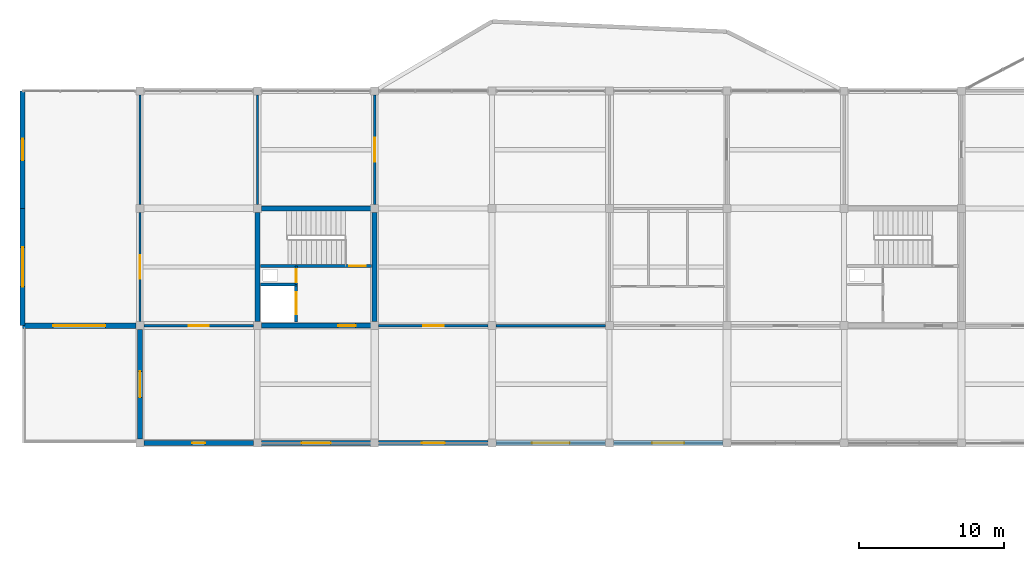
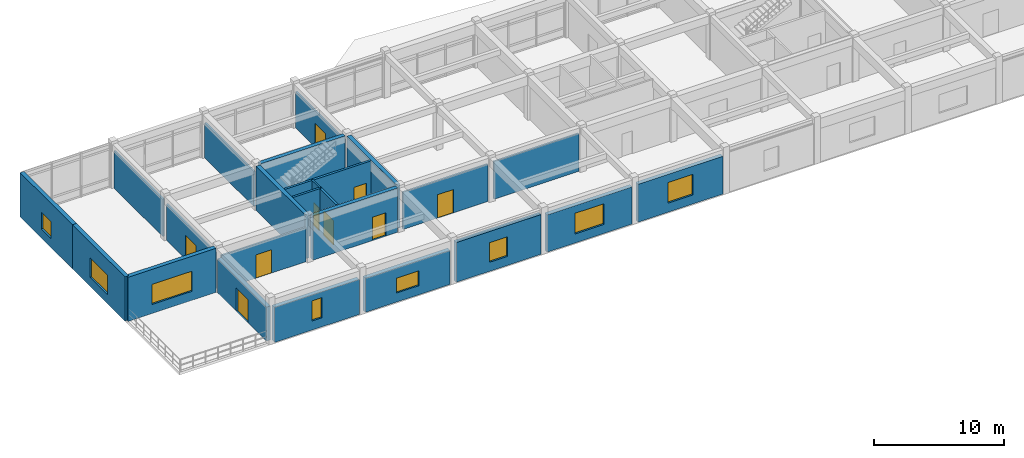
# One storey, part 27 of 42: 24 walls, 9 doors, 8 windows, 17 openings.
"""IFC4 building model written with IfcOpenShell, lengths in metres."""

from ifc_helpers import new_model, si_unit, direction, frame, frame_2d, origin, place, context, subcontext, project, spatial, rectangle, extrude, material, layer, layer_set, type_object, element, fill, save


model = new_model("IFC4")

# Units and contexts
model_context = context("Model", 3, precision=1e-05, world=origin(), true_north=direction((0.0, 1.0)))
body_context = subcontext(model_context, "Body", "Model", "MODEL_VIEW")
ifc_project = project(units=[si_unit("LENGTHUNIT", "METRE"), si_unit("AREAUNIT", "SQUARE_METRE"), si_unit("VOLUMEUNIT", "CUBIC_METRE"), si_unit("PLANEANGLEUNIT", "RADIAN"), si_unit("MASSUNIT", "GRAM", prefix="KILO")], contexts=[model_context])

# Site, building, storey
site_placement = place(None, origin())
site = spatial("IfcSite", under=ifc_project, at=site_placement, CompositionType="ELEMENT")
building_placement = place(site_placement, origin())
building = spatial("IfcBuilding", under=site, at=building_placement, Name="Vaudrelin Polytechnic", CompositionType="ELEMENT")
storey_placement = place(building_placement, frame((0.0, 0.0, 18.530029296875)))
storey = spatial("IfcBuildingStorey", under=building, at=storey_placement, Name="L04", CompositionType="ELEMENT", Elevation=18.530029296875)

# Wall, opening, window
ifc_material_1 = material(Name="Precast concrete 35 MPa with standing-seam zinc rainscreen", Category="concrete")
ifc_layer_1 = layer(ifc_material_1, 0.360107421875)
ifc_layer_set_1 = layer_set([ifc_layer_1], Name="Precast concrete 35 MPa with standing-seam zinc rainscreen")
wall_type_1 = type_object("IfcWallType", Name="WAL-EW-ZINC360", PredefinedType="STANDARD", material=ifc_layer_set_1)
wall_1_placement = place(storey_placement, frame((0.0, 105.300048828125, 0.0), z_axis=(0.0, 0.0, 1.0), x_axis=(0.0, 1.0, 0.0)))
wall_1 = element("IfcWall", 1, at=wall_1_placement, inside=storey, type_object=wall_type_1, Name="Exterior wall L04 W_V5N_00", PredefinedType="STANDARD", context=body_context, shape_type="SweptSolid", body=[
    extrude(rectangle(XDim=8.099853515625, YDim=0.360107421875, at=frame_2d((4.0498046875, 0.0))), origin(), (0.0, 0.0, 1.0), 4.161865234375),
])
opening_1_placement = place(wall_1_placement, frame((2.699951171875, 0.0, 0.85009765625)))
opening_1 = element("IfcOpeningElement", 2, at=opening_1_placement, cuts=wall_1, Name="Opening W-L04-W-V5N-01", PredefinedType="OPENING", context=body_context, shape_type="SweptSolid", body=[
    extrude(rectangle(XDim=2.699951171875, YDim=1.85009765625, at=frame_2d((1.35009765625, 0.925048828125))), frame((0.0, 0.18994140625, 0.0), z_axis=(0.0, -1.0, 0.0), x_axis=(1.0, 0.0, 0.0)), (0.0, 0.0, 1.0), 0.380126953125),
])
ifc_material_2 = material(Name="Thermally broken aluminium frame with triple low-e glazing", Category="aluminium")
window_type_1 = type_object("IfcWindowType", Name="WIN-WN-06", PartitioningType="SINGLE_PANEL", PredefinedType="WINDOW", material=ifc_material_2)
window_1_placement = place(opening_1_placement, origin())
window_1 = element("IfcWindow", 3, at=window_1_placement, inside=storey, type_object=window_type_1, Name="Facade window L04-W_V5N_00", OverallHeight=1.85009765625, OverallWidth=2.699951171875, PartitioningType="SINGLE_PANEL", PredefinedType="WINDOW", context=body_context, shape_type="SweptSolid", body=[
    extrude(rectangle(XDim=2.699951171875, YDim=1.85009765625, at=frame_2d((1.35009765625, 0.925048828125))), frame((0.0, 0.030029296875, 0.0), z_axis=(0.0, -1.0, 0.0), x_axis=(1.0, 0.0, 0.0)), (0.0, 0.0, 1.0), 0.06005859375),
])
fill(opening_1, window_1)

wall_2_placement = place(storey_placement, frame((0.0, 113.39990234375, 0.0), z_axis=(0.0, 0.0, 1.0), x_axis=(0.0, 1.0, 0.0)))
wall_2 = element("IfcWall", 4, at=wall_2_placement, inside=storey, type_object=wall_type_1, Name="Exterior wall L04 W_V5N_01", PredefinedType="STANDARD", context=body_context, shape_type="SweptSolid", body=[
    extrude(rectangle(XDim=8.10009765625, YDim=0.360107421875, at=frame_2d((4.050048828125, 0.0))), origin(), (0.0, 0.0, 1.0), 4.161865234375),
])
opening_2_placement = place(wall_2_placement, frame((3.300048828125, 0.0, 0.85009765625)))
opening_2 = element("IfcOpeningElement", 5, at=opening_2_placement, cuts=wall_2, Name="Opening W-L04-W-V5N-02", PredefinedType="OPENING", context=body_context, shape_type="SweptSolid", body=[
    extrude(rectangle(XDim=1.5, YDim=1.60009765625, at=frame_2d((0.75, 0.800048828125))), frame((0.0, 0.18994140625, 0.0), z_axis=(0.0, -1.0, 0.0), x_axis=(1.0, 0.0, 0.0)), (0.0, 0.0, 1.0), 0.380126953125),
])
window_type_2 = type_object("IfcWindowType", Name="WIN-WN-07", PartitioningType="SINGLE_PANEL", PredefinedType="WINDOW", material=ifc_material_2)
window_2_placement = place(opening_2_placement, origin())
window_2 = element("IfcWindow", 6, at=window_2_placement, inside=storey, type_object=window_type_2, Name="Facade window L04-W_V5N_01", OverallHeight=1.60009765625, OverallWidth=1.5, PartitioningType="SINGLE_PANEL", PredefinedType="WINDOW", context=body_context, shape_type="SweptSolid", body=[
    extrude(rectangle(XDim=1.5, YDim=1.60009765625, at=frame_2d((0.75, 0.800048828125))), frame((0.0, 0.030029296875, 0.0), z_axis=(0.0, -1.0, 0.0), x_axis=(1.0, 0.0, 0.0)), (0.0, 0.0, 1.0), 0.06005859375),
])
fill(opening_2, window_2)

# Wall, opening, door
wall_3_placement = place(storey_placement, frame((8.10009765625, 97.472900390625, 0.0), z_axis=(0.0, 0.0, 1.0), x_axis=(0.0, 1.0, 0.0)))
wall_3 = element("IfcWall", 7, at=wall_3_placement, inside=storey, type_object=wall_type_1, Name="Exterior wall L04 W_V5T_00", PredefinedType="STANDARD", context=body_context, shape_type="SweptSolid", body=[
    extrude(rectangle(XDim=7.55419921875, YDim=0.360107421875, at=frame_2d((3.777099609375, 0.0))), origin(), (0.0, 0.0, 1.0), 3.2119140625),
])
opening_3_placement = place(wall_3_placement, frame((2.876953125, 0.0, 0.0)))
opening_3 = element("IfcOpeningElement", 8, at=opening_3_placement, cuts=wall_3, Name="Opening TD-04-01", PredefinedType="OPENING", context=body_context, shape_type="SweptSolid", body=[
    extrude(rectangle(XDim=1.800048828125, YDim=2.199951171875, at=frame_2d((0.89990234375, 1.10009765625))), frame((0.0, 0.18994140625, 0.0), z_axis=(0.0, -1.0, 0.0), x_axis=(1.0, 0.0, 0.0)), (0.0, 0.0, 1.0), 0.380126953125),
])
ifc_material_3 = material(Name="Thermally broken anodised aluminium AA 6063-T6", Category="aluminium")
door_type_1 = type_object("IfcDoorType", Name="DOR-ED-03", OperationType="DOUBLE_SWING_LEFT", PredefinedType="DOOR", material=ifc_material_3)
door_1_placement = place(opening_3_placement, origin())
door_1 = element("IfcDoor", 9, at=door_1_placement, inside=storey, type_object=door_type_1, Name="Exterior exit door TD-04-01", OperationType="DOUBLE_SWING_LEFT", OverallHeight=2.199951171875, OverallWidth=1.800048828125, PredefinedType="DOOR", context=body_context, shape_type="SweptSolid", body=[
    extrude(rectangle(XDim=1.800048828125, YDim=2.199951171875, at=frame_2d((0.89990234375, 1.10009765625))), frame((0.0, 0.02490234375, 0.0), z_axis=(0.0, -1.0, 0.0), x_axis=(1.0, 0.0, 0.0)), (0.0, 0.0, 1.0), 0.050048828125),
])
fill(opening_3, door_1)

# Wall, opening, window
wall_4_placement = place(storey_placement, frame((0.0, 105.300048828125, 0.0), z_axis=(0.0, 0.0, 1.0), x_axis=(1.0, 0.0, 0.0)))
wall_4 = element("IfcWall", 10, at=wall_4_placement, inside=storey, type_object=wall_type_1, Name="Exterior wall L04 S_V5T_00", PredefinedType="STANDARD", context=body_context, shape_type="SweptSolid", body=[
    extrude(rectangle(XDim=7.826904296875, YDim=0.360107421875, at=frame_2d((3.91357421875, 0.0))), origin(), (0.0, 0.0, 1.0), 4.161865234375),
])
opening_4_placement = place(wall_4_placement, frame((2.113525390625, 0.0, 0.85009765625)))
opening_4 = element("IfcOpeningElement", 11, at=opening_4_placement, cuts=wall_4, Name="Opening W-L04-S-V5T-01", PredefinedType="OPENING", context=body_context, shape_type="SweptSolid", body=[
    extrude(rectangle(XDim=3.60009765625, YDim=1.89990234375, at=frame_2d((1.800048828125, 0.949951171875))), frame((0.0, 0.18994140625, 0.0), z_axis=(0.0, -1.0, 0.0), x_axis=(1.0, 0.0, 0.0)), (0.0, 0.0, 1.0), 0.380126953125),
])
window_type_3 = type_object("IfcWindowType", Name="WIN-WN-08", PartitioningType="SINGLE_PANEL", PredefinedType="WINDOW", material=ifc_material_2)
window_3_placement = place(opening_4_placement, origin())
window_3 = element("IfcWindow", 12, at=window_3_placement, inside=storey, type_object=window_type_3, Name="Facade window L04-S_V5T_00", OverallHeight=1.89990234375, OverallWidth=3.60009765625, PartitioningType="SINGLE_PANEL", PredefinedType="WINDOW", context=body_context, shape_type="SweptSolid", body=[
    extrude(rectangle(XDim=3.60009765625, YDim=1.89990234375, at=frame_2d((1.800048828125, 0.949951171875))), frame((0.0, 0.030029296875, 0.0), z_axis=(0.0, -1.0, 0.0), x_axis=(1.0, 0.0, 0.0)), (0.0, 0.0, 1.0), 0.06005859375),
])
fill(opening_4, window_3)

wall_5_placement = place(storey_placement, frame((8.373046875, 97.199951171875, 0.0), z_axis=(0.0, 0.0, 1.0), x_axis=(1.0, 0.0, 0.0)))
wall_5 = element("IfcWall", 13, at=wall_5_placement, inside=storey, type_object=wall_type_1, Name="Exterior wall L04 S_V5_00", PredefinedType="STANDARD", context=body_context, shape_type="SweptSolid", body=[
    extrude(rectangle(XDim=7.553955078125, YDim=0.360107421875, at=frame_2d((3.77685546875, 0.0))), origin(), (0.0, 0.0, 1.0), 3.31201171875),
])
opening_5_placement = place(wall_5_placement, frame((3.326904296875, 0.0, 0.85009765625)))
opening_5 = element("IfcOpeningElement", 14, at=opening_5_placement, cuts=wall_5, Name="Opening W-L04-S-V5-01", PredefinedType="OPENING", context=body_context, shape_type="SweptSolid", body=[
    extrude(rectangle(XDim=0.89990234375, YDim=1.89990234375, at=frame_2d((0.449951171875, 0.949951171875))), frame((0.0, 0.18994140625, 0.0), z_axis=(0.0, -1.0, 0.0), x_axis=(1.0, 0.0, 0.0)), (0.0, 0.0, 1.0), 0.380126953125),
])
window_type_4 = type_object("IfcWindowType", Name="WIN-WN-09", PartitioningType="SINGLE_PANEL", PredefinedType="WINDOW", material=ifc_material_2)
window_4_placement = place(opening_5_placement, origin())
window_4 = element("IfcWindow", 15, at=window_4_placement, inside=storey, type_object=window_type_4, Name="Facade window L04-S_V5_00", OverallHeight=1.89990234375, OverallWidth=0.89990234375, PartitioningType="SINGLE_PANEL", PredefinedType="WINDOW", context=body_context, shape_type="SweptSolid", body=[
    extrude(rectangle(XDim=0.89990234375, YDim=1.89990234375, at=frame_2d((0.449951171875, 0.949951171875))), frame((0.0, 0.030029296875, 0.0), z_axis=(0.0, -1.0, 0.0), x_axis=(1.0, 0.0, 0.0)), (0.0, 0.0, 1.0), 0.06005859375),
])
fill(opening_5, window_4)

wall_6_placement = place(storey_placement, frame((16.472900390625, 97.199951171875, 0.0), z_axis=(0.0, 0.0, 1.0), x_axis=(1.0, 0.0, 0.0)))
wall_6 = element("IfcWall", 16, at=wall_6_placement, inside=storey, type_object=wall_type_1, Name="Exterior wall L04 S_V5_01", PredefinedType="STANDARD", context=body_context, shape_type="SweptSolid", body=[
    extrude(rectangle(XDim=7.55419921875, YDim=0.360107421875, at=frame_2d((3.777099609375, 0.0))), origin(), (0.0, 0.0, 1.0), 3.2119140625),
])
opening_6_placement = place(wall_6_placement, frame((2.777099609375, 0.0, 0.85009765625)))
opening_6 = element("IfcOpeningElement", 17, at=opening_6_placement, cuts=wall_6, Name="Opening W-L04-S-V5-02", PredefinedType="OPENING", context=body_context, shape_type="SweptSolid", body=[
    extrude(rectangle(XDim=2.0, YDim=1.39990234375, at=frame_2d((1.0, 0.699951171875))), frame((0.0, 0.18994140625, 0.0), z_axis=(0.0, -1.0, 0.0), x_axis=(1.0, 0.0, 0.0)), (0.0, 0.0, 1.0), 0.380126953125),
])
window_type_5 = type_object("IfcWindowType", Name="WIN-WN-10", PartitioningType="SINGLE_PANEL", PredefinedType="WINDOW", material=ifc_material_2)
window_5_placement = place(opening_6_placement, origin())
window_5 = element("IfcWindow", 18, at=window_5_placement, inside=storey, type_object=window_type_5, Name="Facade window L04-S_V5_01", OverallHeight=1.39990234375, OverallWidth=2.0, PartitioningType="SINGLE_PANEL", PredefinedType="WINDOW", context=body_context, shape_type="SweptSolid", body=[
    extrude(rectangle(XDim=2.0, YDim=1.39990234375, at=frame_2d((1.0, 0.699951171875))), frame((0.0, 0.030029296875, 0.0), z_axis=(0.0, -1.0, 0.0), x_axis=(1.0, 0.0, 0.0)), (0.0, 0.0, 1.0), 0.06005859375),
])
fill(opening_6, window_5)

wall_7_placement = place(storey_placement, frame((24.572998046875, 97.199951171875, 0.0), z_axis=(0.0, 0.0, 1.0), x_axis=(1.0, 0.0, 0.0)))
wall_7 = element("IfcWall", 19, at=wall_7_placement, inside=storey, type_object=wall_type_1, Name="Exterior wall L04 S_V5_02", PredefinedType="STANDARD", context=body_context, shape_type="SweptSolid", body=[
    extrude(rectangle(XDim=7.553955078125, YDim=0.360107421875, at=frame_2d((3.77685546875, 0.0))), origin(), (0.0, 0.0, 1.0), 3.7470703125),
])
opening_7_placement = place(wall_7_placement, frame((2.97705078125, 0.0, 0.85009765625)))
opening_7 = element("IfcOpeningElement", 20, at=opening_7_placement, cuts=wall_7, Name="Opening W-L04-S-V5-03", PredefinedType="OPENING", context=body_context, shape_type="SweptSolid", body=[
    extrude(rectangle(XDim=1.60009765625, YDim=1.85009765625, at=frame_2d((0.800048828125, 0.925048828125))), frame((0.0, 0.18994140625, 0.0), z_axis=(0.0, -1.0, 0.0), x_axis=(1.0, 0.0, 0.0)), (0.0, 0.0, 1.0), 0.380126953125),
])
window_type_6 = type_object("IfcWindowType", Name="WIN-WN-11", PartitioningType="SINGLE_PANEL", PredefinedType="WINDOW", material=ifc_material_2)
window_6_placement = place(opening_7_placement, origin())
window_6 = element("IfcWindow", 21, at=window_6_placement, inside=storey, type_object=window_type_6, Name="Facade window L04-S_V5_02", OverallHeight=1.85009765625, OverallWidth=1.60009765625, PartitioningType="SINGLE_PANEL", PredefinedType="WINDOW", context=body_context, shape_type="SweptSolid", body=[
    extrude(rectangle(XDim=1.60009765625, YDim=1.85009765625, at=frame_2d((0.800048828125, 0.925048828125))), frame((0.0, 0.030029296875, 0.0), z_axis=(0.0, -1.0, 0.0), x_axis=(1.0, 0.0, 0.0)), (0.0, 0.0, 1.0), 0.06005859375),
])
fill(opening_7, window_6)

wall_8_placement = place(storey_placement, frame((32.673095703125, 97.199951171875, 0.0), z_axis=(0.0, 0.0, 1.0), x_axis=(1.0, 0.0, 0.0)))
wall_8 = element("IfcWall", 22, at=wall_8_placement, inside=storey, type_object=wall_type_1, Name="Exterior wall L04 S_V5_03", PredefinedType="STANDARD", context=body_context, shape_type="SweptSolid", body=[
    extrude(rectangle(XDim=7.553955078125, YDim=0.360107421875, at=frame_2d((3.77685546875, 0.0))), origin(), (0.0, 0.0, 1.0), 3.511962890625),
])
opening_8_placement = place(wall_8_placement, frame((2.47705078125, 0.0, 0.85009765625)))
opening_8 = element("IfcOpeningElement", 23, at=opening_8_placement, cuts=wall_8, Name="Opening W-L04-S-V5-04", PredefinedType="OPENING", context=body_context, shape_type="SweptSolid", body=[
    extrude(rectangle(XDim=2.60009765625, YDim=1.949951171875, at=frame_2d((1.300048828125, 0.97509765625))), frame((0.0, 0.18994140625, 0.0), z_axis=(0.0, -1.0, 0.0), x_axis=(1.0, 0.0, 0.0)), (0.0, 0.0, 1.0), 0.380126953125),
])
window_type_7 = type_object("IfcWindowType", Name="WIN-WN-12", PartitioningType="SINGLE_PANEL", PredefinedType="WINDOW", material=ifc_material_2)
window_7_placement = place(opening_8_placement, origin())
window_7 = element("IfcWindow", 24, at=window_7_placement, inside=storey, type_object=window_type_7, Name="Facade window L04-S_V5_03", OverallHeight=1.949951171875, OverallWidth=2.60009765625, PartitioningType="SINGLE_PANEL", PredefinedType="WINDOW", context=body_context, shape_type="SweptSolid", body=[
    extrude(rectangle(XDim=2.60009765625, YDim=1.949951171875, at=frame_2d((1.300048828125, 0.97509765625))), frame((0.0, 0.030029296875, 0.0), z_axis=(0.0, -1.0, 0.0), x_axis=(1.0, 0.0, 0.0)), (0.0, 0.0, 1.0), 0.06005859375),
])
fill(opening_8, window_7)

wall_9_placement = place(storey_placement, frame((40.77294921875, 97.199951171875, 0.0), z_axis=(0.0, 0.0, 1.0), x_axis=(1.0, 0.0, 0.0)))
wall_9 = element("IfcWall", 25, at=wall_9_placement, inside=storey, type_object=wall_type_1, Name="Exterior wall L04 S_V5_04", PredefinedType="STANDARD", context=body_context, shape_type="SweptSolid", body=[
    extrude(rectangle(XDim=7.553955078125, YDim=0.360107421875, at=frame_2d((3.77685546875, 0.0))), origin(), (0.0, 0.0, 1.0), 3.56201171875),
])
opening_9_placement = place(wall_9_placement, frame((2.677001953125, 0.0, 0.85009765625)))
opening_9 = element("IfcOpeningElement", 26, at=opening_9_placement, cuts=wall_9, Name="Opening W-L04-S-V5-05", PredefinedType="OPENING", context=body_context, shape_type="SweptSolid", body=[
    extrude(rectangle(XDim=2.199951171875, YDim=1.949951171875, at=frame_2d((1.10009765625, 0.97509765625))), frame((0.0, 0.18994140625, 0.0), z_axis=(0.0, -1.0, 0.0), x_axis=(1.0, 0.0, 0.0)), (0.0, 0.0, 1.0), 0.380126953125),
])
window_type_8 = type_object("IfcWindowType", Name="WIN-WN-13", PartitioningType="SINGLE_PANEL", PredefinedType="WINDOW", material=ifc_material_2)
window_8_placement = place(opening_9_placement, origin())
window_8 = element("IfcWindow", 27, at=window_8_placement, inside=storey, type_object=window_type_8, Name="Facade window L04-S_V5_04", OverallHeight=1.949951171875, OverallWidth=2.199951171875, PartitioningType="SINGLE_PANEL", PredefinedType="WINDOW", context=body_context, shape_type="SweptSolid", body=[
    extrude(rectangle(XDim=2.199951171875, YDim=1.949951171875, at=frame_2d((1.10009765625, 0.97509765625))), frame((0.0, 0.030029296875, 0.0), z_axis=(0.0, -1.0, 0.0), x_axis=(1.0, 0.0, 0.0)), (0.0, 0.0, 1.0), 0.06005859375),
])
fill(opening_9, window_8)

# Wall, opening, door
ifc_material_4 = material(Name="Fire-rated steel-stud gypsum compartment wall", Category="steel")
ifc_layer_2 = layer(ifc_material_4, 0.14990234375)
ifc_layer_set_2 = layer_set([ifc_layer_2], Name="Fire-rated steel-stud gypsum compartment wall")
wall_type_2 = type_object("IfcWallType", Name="WAL-PW-FIRE60", PredefinedType="PARTITIONING", material=ifc_layer_set_2)
wall_10_placement = place(storey_placement, frame((18.8798828125, 108.14990234375, 0.0), z_axis=(0.0, 0.0, 1.0), x_axis=(0.0, 1.0, 0.0)))
wall_10 = element("IfcWall", 28, at=wall_10_placement, inside=storey, type_object=wall_type_2, Name="Core C1 riser enclosure wall L04", PredefinedType="PARTITIONING", context=body_context, shape_type="SweptSolid", body=[
    extrude(rectangle(XDim=1.260009765625, YDim=0.14990234375, at=frame_2d((0.6298828125, 0.0))), origin(), (0.0, 0.0, 1.0), 4.161865234375),
])
opening_10_placement = place(wall_10_placement, frame((0.139892578125, 0.0, 0.0)))
opening_10 = element("IfcOpeningElement", 29, at=opening_10_placement, cuts=wall_10, Name="Opening D-L04-019", PredefinedType="OPENING", context=body_context, shape_type="SweptSolid", body=[
    extrude(rectangle(XDim=0.89990234375, YDim=2.14990234375, at=frame_2d((0.449951171875, 1.074951171875))), frame((0.0, 0.0849609375, 0.0), z_axis=(0.0, -1.0, 0.0), x_axis=(1.0, 0.0, 0.0)), (0.0, 0.0, 1.0), 0.169921875),
])
ifc_material_5 = material(Name="Pressed galvanised steel acoustic leaf", Category="steel")
door_type_2 = type_object("IfcDoorType", Name="DOR-ID-RSR1", OperationType="NOTDEFINED", PredefinedType="DOOR", material=ifc_material_5)
door_2_placement = place(opening_10_placement, origin())
door_2 = element("IfcDoor", 30, at=door_2_placement, inside=storey, type_object=door_type_2, Name="Core C1 riser access door L04", OperationType="SINGLE_SWING_RIGHT", OverallHeight=2.14990234375, OverallWidth=0.89990234375, PredefinedType="DOOR", context=body_context, shape_type="SweptSolid", body=[
    extrude(rectangle(XDim=0.89990234375, YDim=2.14990234375, at=frame_2d((0.449951171875, 1.074951171875))), frame((0.0, 0.02490234375, 0.0), z_axis=(0.0, -1.0, 0.0), x_axis=(1.0, 0.0, 0.0)), (0.0, 0.0, 1.0), 0.050048828125),
])
fill(opening_10, door_2)

ifc_material_6 = material(Name="Pin-up plywood & acoustic gypsum studio partition", Category="wood")
ifc_layer_3 = layer(ifc_material_6, 0.14990234375)
ifc_layer_set_3 = layer_set([ifc_layer_3], Name="Pin-up plywood & acoustic gypsum studio partition")
wall_type_3 = type_object("IfcWallType", Name="WAL-PW-STU150", PredefinedType="PARTITIONING", material=ifc_layer_set_3)
wall_11_placement = place(storey_placement, frame((8.373046875, 105.300048828125, 0.0), z_axis=(0.0, 0.0, 1.0), x_axis=(1.0, 0.0, 0.0)))
wall_11 = element("IfcWall", 31, at=wall_11_placement, inside=storey, type_object=wall_type_3, Name="Partition L04-001 S", PredefinedType="PARTITIONING", context=body_context, shape_type="SweptSolid", body=[
    extrude(rectangle(XDim=7.553955078125, YDim=0.14990234375, at=frame_2d((3.77685546875, 0.0))), origin(), (0.0, 0.0, 1.0), 3.2119140625),
])
opening_11_placement = place(wall_11_placement, frame((3.076904296875, 0.0, 0.0)))
opening_11 = element("IfcOpeningElement", 32, at=opening_11_placement, cuts=wall_11, Name="Opening D-L04-517", PredefinedType="OPENING", context=body_context, shape_type="SweptSolid", body=[
    extrude(rectangle(XDim=1.39990234375, YDim=2.199951171875, at=frame_2d((0.699951171875, 1.10009765625))), frame((0.0, 0.0849609375, 0.0), z_axis=(0.0, -1.0, 0.0), x_axis=(1.0, 0.0, 0.0)), (0.0, 0.0, 1.0), 0.169921875),
])
ifc_material_7 = material(Name="Solid-core birch veneer acoustic leaf", Category="wood")
door_type_3 = type_object("IfcDoorType", Name="DOR-ID-STU1", OperationType="NOTDEFINED", PredefinedType="DOOR", material=ifc_material_7)
door_3_placement = place(opening_11_placement, origin())
door_3 = element("IfcDoor", 33, at=door_3_placement, inside=storey, type_object=door_type_3, Name="Architectural Design Studio West door L04-001", OperationType="DOUBLE_SWING_LEFT", OverallHeight=2.199951171875, OverallWidth=1.39990234375, PredefinedType="DOOR", context=body_context, shape_type="SweptSolid", body=[
    extrude(rectangle(XDim=1.39990234375, YDim=2.199951171875, at=frame_2d((0.699951171875, 1.10009765625))), frame((0.0, 0.02490234375, 0.0), z_axis=(0.0, -1.0, 0.0), x_axis=(1.0, 0.0, 0.0)), (0.0, 0.0, 1.0), 0.050048828125),
])
fill(opening_11, door_3)

# Wall
wall_12_placement = place(storey_placement, frame((16.199951171875, 113.673095703125, 0.0), z_axis=(0.0, 0.0, 1.0), x_axis=(0.0, 1.0, 0.0)))
element("IfcWall", 34, at=wall_12_placement, inside=storey, type_object=wall_type_3, Name="Partition L04-001 E", PredefinedType="PARTITIONING", context=body_context, shape_type="SweptSolid", body=[
    extrude(rectangle(XDim=7.553955078125, YDim=0.14990234375, at=frame_2d((3.77685546875, 0.0))), origin(), (0.0, 0.0, 1.0), 3.31201171875),
])

# Wall, opening, door
wall_13_placement = place(storey_placement, frame((8.10009765625, 105.572998046875, 0.0), z_axis=(0.0, 0.0, 1.0), x_axis=(0.0, 1.0, 0.0)))
wall_13 = element("IfcWall", 35, at=wall_13_placement, inside=storey, type_object=wall_type_3, Name="Partition L04-001 W", PredefinedType="PARTITIONING", context=body_context, shape_type="SweptSolid", body=[
    extrude(rectangle(XDim=7.553955078125, YDim=0.14990234375, at=frame_2d((3.77685546875, 0.0))), origin(), (0.0, 0.0, 1.0), 3.411865234375),
])
opening_12_placement = place(wall_13_placement, frame((2.95703125, 0.0, 0.0)))
opening_12 = element("IfcOpeningElement", 36, at=opening_12_placement, cuts=wall_13, Name="Opening D-L04-532", PredefinedType="OPENING", context=body_context, shape_type="SweptSolid", body=[
    extrude(rectangle(XDim=1.639892578125, YDim=2.25, at=frame_2d((0.81982421875, 1.125))), frame((0.0, 0.0849609375, 0.0), z_axis=(0.0, -1.0, 0.0), x_axis=(1.0, 0.0, 0.0)), (0.0, 0.0, 1.0), 0.169921875),
])
door_type_4 = type_object("IfcDoorType", Name="DOR-ID-STU2", OperationType="NOTDEFINED", PredefinedType="DOOR", material=ifc_material_7)
door_4_placement = place(opening_12_placement, origin())
door_4 = element("IfcDoor", 37, at=door_4_placement, inside=storey, type_object=door_type_4, Name="North-West Corner Maquette Studio door L04-018", OperationType="DOUBLE_SWING_LEFT", OverallHeight=2.25, OverallWidth=1.639892578125, PredefinedType="DOOR", context=body_context, shape_type="SweptSolid", body=[
    extrude(rectangle(XDim=1.639892578125, YDim=2.25, at=frame_2d((0.81982421875, 1.125))), frame((0.0, 0.02490234375, 0.0), z_axis=(0.0, -1.0, 0.0), x_axis=(1.0, 0.0, 0.0)), (0.0, 0.0, 1.0), 0.050048828125),
])
fill(opening_12, door_4)

# Wall
wall_14_placement = place(storey_placement, frame((8.10009765625, 113.673095703125, 0.0), z_axis=(0.0, 0.0, 1.0), x_axis=(0.0, 1.0, 0.0)))
element("IfcWall", 38, at=wall_14_placement, inside=storey, type_object=wall_type_3, Name="Partition L04-001 W", PredefinedType="PARTITIONING", context=body_context, shape_type="SweptSolid", body=[
    extrude(rectangle(XDim=7.553955078125, YDim=0.14990234375, at=frame_2d((3.77685546875, 0.0))), origin(), (0.0, 0.0, 1.0), 3.511962890625),
])

# Wall, opening, door
wall_15_placement = place(storey_placement, frame((24.572998046875, 105.300048828125, 0.0), z_axis=(0.0, 0.0, 1.0), x_axis=(1.0, 0.0, 0.0)))
wall_15 = element("IfcWall", 39, at=wall_15_placement, inside=storey, type_object=wall_type_3, Name="Partition L04-002 S", PredefinedType="PARTITIONING", context=body_context, shape_type="SweptSolid", body=[
    extrude(rectangle(XDim=7.553955078125, YDim=0.14990234375, at=frame_2d((3.77685546875, 0.0))), origin(), (0.0, 0.0, 1.0), 3.511962890625),
])
opening_13_placement = place(wall_15_placement, frame((3.076904296875, 0.0, 0.0)))
opening_13 = element("IfcOpeningElement", 40, at=opening_13_placement, cuts=wall_15, Name="Opening D-L04-518", PredefinedType="OPENING", context=body_context, shape_type="SweptSolid", body=[
    extrude(rectangle(XDim=1.39990234375, YDim=2.199951171875, at=frame_2d((0.699951171875, 1.10009765625))), frame((0.0, 0.0849609375, 0.0), z_axis=(0.0, -1.0, 0.0), x_axis=(1.0, 0.0, 0.0)), (0.0, 0.0, 1.0), 0.169921875),
])
door_5_placement = place(opening_13_placement, origin())
door_5 = element("IfcDoor", 41, at=door_5_placement, inside=storey, type_object=door_type_3, Name="Architectural Design Studio Central door L04-002", OperationType="DOUBLE_SWING_LEFT", OverallHeight=2.199951171875, OverallWidth=1.39990234375, PredefinedType="DOOR", context=body_context, shape_type="SweptSolid", body=[
    extrude(rectangle(XDim=1.39990234375, YDim=2.199951171875, at=frame_2d((0.699951171875, 1.10009765625))), frame((0.0, 0.02490234375, 0.0), z_axis=(0.0, -1.0, 0.0), x_axis=(1.0, 0.0, 0.0)), (0.0, 0.0, 1.0), 0.050048828125),
])
fill(opening_13, door_5)

# Wall
wall_16_placement = place(storey_placement, frame((32.673095703125, 105.300048828125, 0.0), z_axis=(0.0, 0.0, 1.0), x_axis=(1.0, 0.0, 0.0)))
element("IfcWall", 42, at=wall_16_placement, inside=storey, type_object=wall_type_3, Name="Partition L04-002 S", PredefinedType="PARTITIONING", context=body_context, shape_type="SweptSolid", body=[
    extrude(rectangle(XDim=7.553955078125, YDim=0.14990234375, at=frame_2d((3.77685546875, 0.0))), origin(), (0.0, 0.0, 1.0), 3.56201171875),
])

# Wall, opening, door
wall_17_placement = place(storey_placement, frame((24.300048828125, 113.673095703125, 0.0), z_axis=(0.0, 0.0, 1.0), x_axis=(0.0, 1.0, 0.0)))
wall_17 = element("IfcWall", 43, at=wall_17_placement, inside=storey, type_object=wall_type_3, Name="Partition L04-002 W", PredefinedType="PARTITIONING", context=body_context, shape_type="SweptSolid", body=[
    extrude(rectangle(XDim=7.553955078125, YDim=0.14990234375, at=frame_2d((3.77685546875, 0.0))), origin(), (0.0, 0.0, 1.0), 3.411865234375),
])
opening_14_placement = place(wall_17_placement, frame((2.95703125, 0.0, 0.0)))
opening_14 = element("IfcOpeningElement", 44, at=opening_14_placement, cuts=wall_17, Name="Opening D-L04-534", PredefinedType="OPENING", context=body_context, shape_type="SweptSolid", body=[
    extrude(rectangle(XDim=1.639892578125, YDim=2.25, at=frame_2d((0.81982421875, 1.125))), frame((0.0, 0.0849609375, 0.0), z_axis=(0.0, -1.0, 0.0), x_axis=(1.0, 0.0, 0.0)), (0.0, 0.0, 1.0), 0.169921875),
])
door_6_placement = place(opening_14_placement, origin())
door_6 = element("IfcDoor", 45, at=door_6_placement, inside=storey, type_object=door_type_4, Name="West Studio Model Alcove door L04-020", OperationType="DOUBLE_SWING_LEFT", OverallHeight=2.25, OverallWidth=1.639892578125, PredefinedType="DOOR", context=body_context, shape_type="SweptSolid", body=[
    extrude(rectangle(XDim=1.639892578125, YDim=2.25, at=frame_2d((0.81982421875, 1.125))), frame((0.0, 0.02490234375, 0.0), z_axis=(0.0, -1.0, 0.0), x_axis=(1.0, 0.0, 0.0)), (0.0, 0.0, 1.0), 0.050048828125),
])
fill(opening_14, door_6)

ifc_material_8 = material(Name="Concrete 40 MPa", Category="concrete")
ifc_layer_4 = layer(ifc_material_8, 0.199951171875)
ifc_layer_set_4 = layer_set([ifc_layer_4], Name="Concrete 40 MPa")
wall_type_4 = type_object("IfcWallType", Name="WAL-SW-CORE200", PredefinedType="SHEAR", material=ifc_layer_set_4)
wall_18_placement = place(storey_placement, frame((16.419921875, 109.409912109375, 0.0), z_axis=(0.0, 0.0, 1.0), x_axis=(1.0, 0.0, 0.0)))
wall_18 = element("IfcWall", 46, at=wall_18_placement, inside=storey, type_object=wall_type_4, Name="Core C1 stair enclosure wall L04", PredefinedType="SHEAR", context=body_context, shape_type="SweptSolid", body=[
    extrude(rectangle(XDim=7.66015625, YDim=0.199951171875, at=frame_2d((3.830078125, 0.0))), origin(), (0.0, 0.0, 1.0), 4.161865234375),
])
opening_15_placement = place(wall_18_placement, frame((6.110107421875, 0.0, 0.0)))
opening_15 = element("IfcOpeningElement", 47, at=opening_15_placement, cuts=wall_18, Name="Opening D-L04-018", PredefinedType="OPENING", context=body_context, shape_type="SweptSolid", body=[
    extrude(rectangle(XDim=1.14990234375, YDim=2.199951171875, at=frame_2d((0.574951171875, 1.10009765625))), frame((0.0, 0.10986328125, 0.0), z_axis=(0.0, -1.0, 0.0), x_axis=(1.0, 0.0, 0.0)), (0.0, 0.0, 1.0), 0.219970703125),
])
door_type_5 = type_object("IfcDoorType", Name="DOR-ID-ST1", OperationType="NOTDEFINED", PredefinedType="DOOR", material=ifc_material_5)
door_7_placement = place(opening_15_placement, origin())
door_7 = element("IfcDoor", 48, at=door_7_placement, inside=storey, type_object=door_type_5, Name="Core C1 exit stair door L04", OperationType="SINGLE_SWING_LEFT", OverallHeight=2.199951171875, OverallWidth=1.14990234375, PredefinedType="DOOR", context=body_context, shape_type="SweptSolid", body=[
    extrude(rectangle(XDim=1.14990234375, YDim=2.199951171875, at=frame_2d((0.574951171875, 1.10009765625))), frame((0.0, 0.02490234375, 0.0), z_axis=(0.0, -1.0, 0.0), x_axis=(1.0, 0.0, 0.0)), (0.0, 0.0, 1.0), 0.050048828125),
])
fill(opening_15, door_7)

wall_19_placement = place(storey_placement, frame((18.8798828125, 105.550048828125, 0.0), z_axis=(0.0, 0.0, 1.0), x_axis=(0.0, 1.0, 0.0)))
wall_19 = element("IfcWall", 49, at=wall_19_placement, inside=storey, type_object=wall_type_4, Name="Lift LF-01 shaft front wall L04", PredefinedType="SHEAR", context=body_context, shape_type="SweptSolid", body=[
    extrude(rectangle(XDim=2.599853515625, YDim=0.199951171875, at=frame_2d((1.2998046875, 0.0))), origin(), (0.0, 0.0, 1.0), 4.161865234375),
])
opening_16_placement = place(wall_19_placement, frame((0.550048828125, 0.0, 0.0)))
opening_16 = element("IfcOpeningElement", 50, at=opening_16_placement, cuts=wall_19, Name="Opening LD-LF-01-L04", PredefinedType="OPENING", context=body_context, shape_type="SweptSolid", body=[
    extrude(rectangle(XDim=1.5, YDim=2.300048828125, at=frame_2d((0.75, 1.14990234375))), frame((0.0, 0.10986328125, 0.0), z_axis=(0.0, -1.0, 0.0), x_axis=(1.0, 0.0, 0.0)), (0.0, 0.0, 1.0), 0.219970703125),
])
ifc_material_9 = material(Name="Brushed stainless steel AISI 304", Category="steel")
door_type_6 = type_object("IfcDoorType", Name="DOR-LD-FRT", OperationType="SLIDING_TO_LEFT", PredefinedType="DOOR", material=ifc_material_9)
door_8_placement = place(opening_16_placement, origin())
door_8 = element("IfcDoor", 51, at=door_8_placement, inside=storey, type_object=door_type_6, Name="Lift LF-01 landing door L04", OperationType="SLIDING_TO_LEFT", OverallHeight=2.300048828125, OverallWidth=1.5, PredefinedType="DOOR", context=body_context, shape_type="SweptSolid", body=[
    extrude(rectangle(XDim=1.5, YDim=2.300048828125, at=frame_2d((0.75, 1.14990234375))), frame((0.0, 0.02490234375, 0.0), z_axis=(0.0, -1.0, 0.0), x_axis=(1.0, 0.0, 0.0)), (0.0, 0.0, 1.0), 0.050048828125),
])
fill(opening_16, door_8)

# Walls
wall_20_placement = place(storey_placement, frame((16.419921875, 108.14990234375, 0.0), z_axis=(0.0, 0.0, 1.0), x_axis=(1.0, 0.0, 0.0)))
element("IfcWall", 52, at=wall_20_placement, inside=storey, type_object=wall_type_4, Name="Lift LF-01 shaft north wall L04", PredefinedType="SHEAR", context=body_context, shape_type="SweptSolid", body=[
    extrude(rectangle(XDim=2.56005859375, YDim=0.199951171875, at=frame_2d((1.280029296875, 0.0))), origin(), (0.0, 0.0, 1.0), 4.161865234375),
])
ifc_material_10 = material(Name="Concrete 50 MPa", Category="concrete")
ifc_layer_5 = layer(ifc_material_10, 0.35009765625)
ifc_layer_set_5 = layer_set([ifc_layer_5], Name="Concrete 50 MPa")
wall_type_5 = type_object("IfcWallType", Name="WAL-SW-CORE350", PredefinedType="SHEAR", material=ifc_layer_set_5)
wall_21_placement = place(storey_placement, frame((16.472900390625, 113.39990234375, 0.0), z_axis=(0.0, 0.0, 1.0), x_axis=(1.0, 0.0, 0.0)))
element("IfcWall", 53, at=wall_21_placement, inside=storey, type_object=wall_type_5, Name="Core C1 N shear wall L04", PredefinedType="SHEAR", context=body_context, shape_type="SweptSolid", body=[
    extrude(rectangle(XDim=7.55419921875, YDim=0.35009765625, at=frame_2d((3.777099609375, 0.0))), origin(), (0.0, 0.0, 1.0), 4.161865234375),
])
for number, where, z_axis, x_axis, name in (
    (54, (16.199951171875, 105.572998046875, 0.0), (0.0, 0.0, 1.0), (0.0, 1.0, 0.0), "Core C1 W shear wall L04"),
    (55, (24.300048828125, 105.572998046875, 0.0), (0.0, 0.0, 1.0), (0.0, 1.0, 0.0), "Core C1 E shear wall L04"),
):
    element("IfcWall", number, at=place(storey_placement, frame(where, z_axis=z_axis, x_axis=x_axis)), inside=storey, type_object=wall_type_5, Name=name, PredefinedType="SHEAR", context=body_context, shape_type="SweptSolid", body=[
        extrude(rectangle(XDim=7.553955078125, YDim=0.35009765625, at=frame_2d((3.77685546875, 0.0))), origin(), (0.0, 0.0, 1.0), 4.161865234375),
    ])

# Wall, opening, door
wall_22_placement = place(storey_placement, frame((16.472900390625, 105.300048828125, 0.0), z_axis=(0.0, 0.0, 1.0), x_axis=(1.0, 0.0, 0.0)))
wall_22 = element("IfcWall", 56, at=wall_22_placement, inside=storey, type_object=wall_type_5, Name="Core C1 S shear wall L04", PredefinedType="SHEAR", context=body_context, shape_type="SweptSolid", body=[
    extrude(rectangle(XDim=7.55419921875, YDim=0.35009765625, at=frame_2d((3.777099609375, 0.0))), origin(), (0.0, 0.0, 1.0), 4.161865234375),
])
opening_17_placement = place(wall_22_placement, frame((5.303955078125, 0.0, 0.0)))
opening_17 = element("IfcOpeningElement", 57, at=opening_17_placement, cuts=wall_22, Name="Opening D-L04-017", PredefinedType="OPENING", context=body_context, shape_type="SweptSolid", body=[
    extrude(rectangle(XDim=1.199951171875, YDim=2.199951171875, at=frame_2d((0.60009765625, 1.10009765625))), frame((0.0, 0.18505859375, 0.0), z_axis=(0.0, -1.0, 0.0), x_axis=(1.0, 0.0, 0.0)), (0.0, 0.0, 1.0), 0.3701171875),
])
door_type_7 = type_object("IfcDoorType", Name="DOR-ID-LB1", OperationType="NOTDEFINED", PredefinedType="DOOR", material=ifc_material_5)
door_9_placement = place(opening_17_placement, origin())
door_9 = element("IfcDoor", 58, at=door_9_placement, inside=storey, type_object=door_type_7, Name="Core C1 lobby fire door L04", OperationType="SINGLE_SWING_LEFT", OverallHeight=2.199951171875, OverallWidth=1.199951171875, PredefinedType="DOOR", context=body_context, shape_type="SweptSolid", body=[
    extrude(rectangle(XDim=1.199951171875, YDim=2.199951171875, at=frame_2d((0.60009765625, 1.10009765625))), frame((0.0, 0.02490234375, 0.0), z_axis=(0.0, -1.0, 0.0), x_axis=(1.0, 0.0, 0.0)), (0.0, 0.0, 1.0), 0.050048828125),
])
fill(opening_17, door_9)

save(model, "model.ifc")
